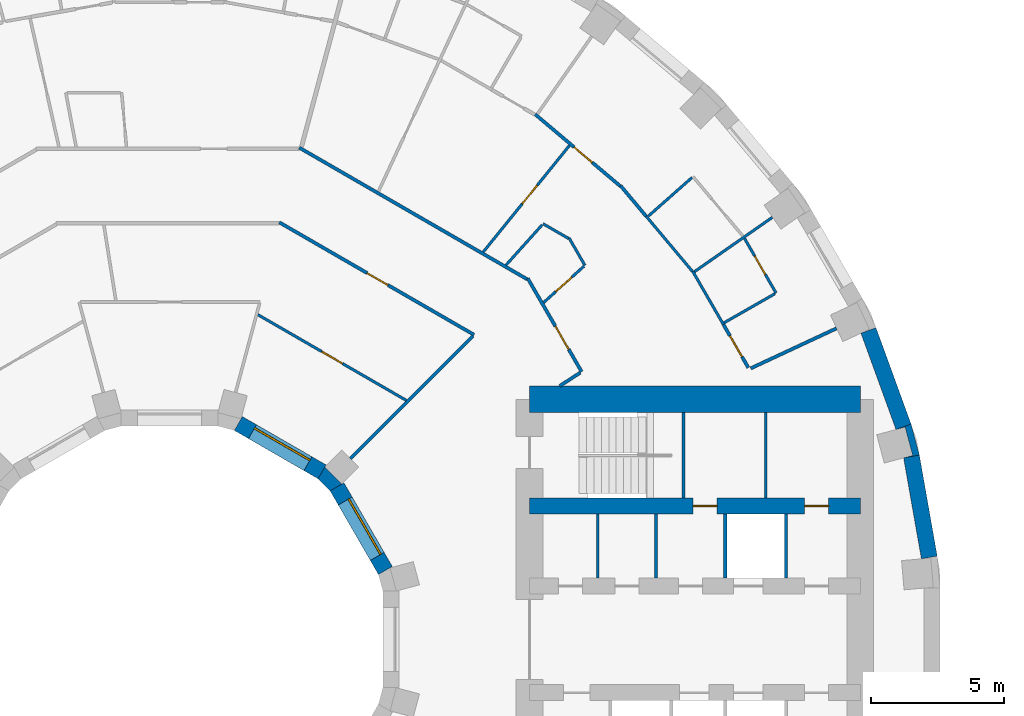
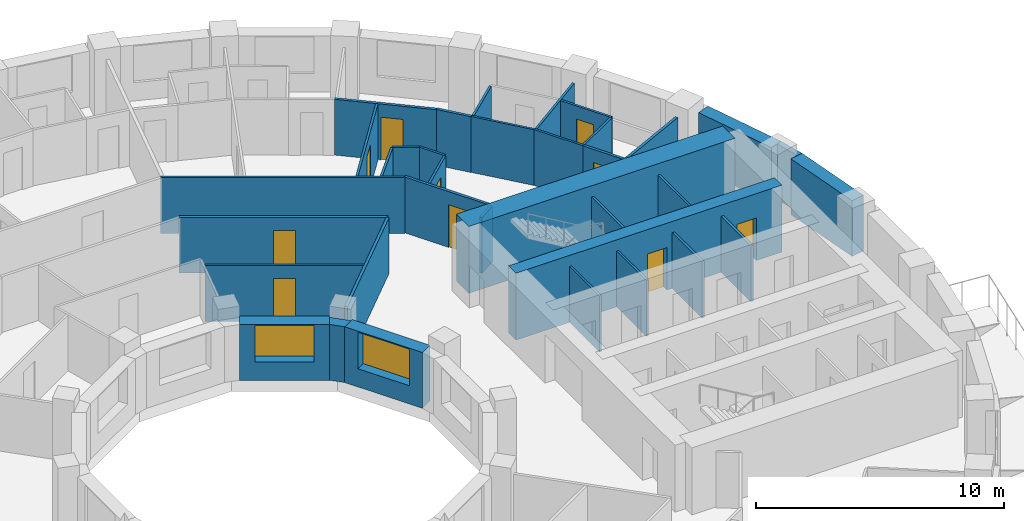
# One storey, part 12 of 15: 35 walls, 10 doors, 2 windows, 12 openings.
"""IFC4 building model written with IfcOpenShell, lengths in metres."""

from ifc_helpers import new_model, si_unit, direction, frame, frame_2d, origin, place, context, subcontext, project, spatial, polyline, rectangle, outline, extrude, material, layer, layer_set, type_object, element, fill, save


model = new_model("IFC4")

# Units and contexts
model_context = context("Model", 3, precision=1e-05, world=origin(), true_north=direction((0.0, 1.0)))
body_context = subcontext(model_context, "Body", "Model", "MODEL_VIEW")
ifc_project = project(units=[si_unit("LENGTHUNIT", "METRE"), si_unit("AREAUNIT", "SQUARE_METRE"), si_unit("VOLUMEUNIT", "CUBIC_METRE"), si_unit("PLANEANGLEUNIT", "RADIAN"), si_unit("MASSUNIT", "GRAM", prefix="KILO")], contexts=[model_context])

# Site, building, storey
site_placement = place(None, origin())
site = spatial("IfcSite", under=ifc_project, at=site_placement, CompositionType="ELEMENT")
building_placement = place(site_placement, origin())
building = spatial("IfcBuilding", under=site, at=building_placement, Name="Saqina Gate Tower", CompositionType="ELEMENT")
storey_placement = place(building_placement, frame((0.0, 0.0, 36.199951171875)))
storey = spatial("IfcBuildingStorey", under=building, at=storey_placement, Name="L09", CompositionType="ELEMENT", Elevation=36.199951171875)

# Walls
ifc_material_1 = material(Name="Brick masonry (red)", Category="masonry")
wall_type_1 = type_object("IfcWallType", Name="BRICK PIER COPING RED", PredefinedType="SOLIDWALL", material=ifc_material_1)
wall_1_placement = place(storey_placement, origin())
element("IfcWall", 1, at=wall_1_placement, inside=storey, type_object=wall_type_1, Name="Pier cap L09 column 2", PredefinedType="SOLIDWALL", context=body_context, shape_type="SweptSolid", body=[
    extrude(outline(polyline([(28.11669921875, 6.910400390625), (27.80517578125, 8.073974609375), (27.2412109375, 7.86865234375), (27.57958984375, 7.95947265625), (27.864501953125, 6.896728515625), (27.52587890625, 6.80615234375), (28.11669921875, 6.910400390625)])), origin(), (0.0, 0.0, 1.0), 2.75),
])
ifc_material_2 = material(Name="Gypsum board on steel studs", Category="steel")
ifc_layer_1 = layer(ifc_material_2, 0.10009765625)
ifc_layer_set_1 = layer_set([ifc_layer_1], Name="CORE PARTITION")
wall_type_2 = type_object("IfcWallType", Name="CORE PARTITION", PredefinedType="PARTITIONING", material=ifc_layer_set_1)
for number, where, z_axis, x_axis, name in (
    (2, (16.052001953125, 2.300048828125, 0.0), (0.0, 0.0, 1.0), (0.0, 1.0, 0.0), "L09-CP-E01"),
    (3, (18.24072265625, 2.300048828125, 0.0), (0.0, 0.0, 1.0), (0.0, 1.0, 0.0), "L09-CP-E02"),
):
    element("IfcWall", number, at=place(storey_placement, frame(where, z_axis=z_axis, x_axis=x_axis)), inside=storey, type_object=wall_type_2, Name=name, PredefinedType="PARTITIONING", context=body_context, shape_type="SweptSolid", body=[
        extrude(rectangle(XDim=2.39990234375, YDim=0.10009765625, at=frame_2d((1.199951171875, 0.0))), origin(), (0.0, 0.0, 1.0), 2.75),
    ])
wall_2_placement = place(storey_placement, frame((22.360107421875, 5.300048828125, 0.0), z_axis=(0.0, 0.0, 1.0), x_axis=(0.0, 1.0, 0.0)))
element("IfcWall", 4, at=wall_2_placement, inside=storey, type_object=wall_type_2, Name="L09-CP-E11", PredefinedType="PARTITIONING", context=body_context, shape_type="SweptSolid", body=[
    extrude(rectangle(XDim=3.199951171875, YDim=0.10009765625, at=frame_2d((1.60009765625, 0.0))), origin(), (0.0, 0.0, 1.0), 2.75),
])
ifc_material_3 = material(Name="Glazed ceramic tile", Category="ceramic")
ifc_layer_2 = layer(ifc_material_3, 0.60009765625)
ifc_layer_set_2 = layer_set([ifc_layer_2], Name="FW-TILE")
wall_type_3 = type_object("IfcWallType", Name="FW-TILE", PredefinedType="SOLIDWALL", material=ifc_layer_set_2)
wall_3_placement = place(storey_placement, frame((27.523193359375, 7.97119140625, 0.0), z_axis=(0.0, 0.0, 1.0), x_axis=(-0.342028474173, 0.939689588564, 0.0)))
element("IfcWall", 5, at=wall_3_placement, inside=storey, type_object=wall_type_3, Name="Facade wall L09 facet 2", PredefinedType="SOLIDWALL", context=body_context, shape_type="SweptSolid", body=[
    extrude(rectangle(XDim=3.845947265625, YDim=0.60009765625, at=frame_2d((1.9228515625, 0.0))), origin(), (0.0, 0.0, 1.0), 2.75),
])
ifc_material_4 = material(Name="Glazed ceramic tile (dark blue)", Category="ceramic")
ifc_layer_3 = layer(ifc_material_4, 0.60009765625)
ifc_layer_set_3 = layer_set([ifc_layer_3], Name="FW-TILE-CB")
wall_type_4 = type_object("IfcWallType", Name="FW-TILE-CB", PredefinedType="SOLIDWALL", material=ifc_layer_set_3)
wall_4_placement = place(storey_placement, frame((28.4892578125, 3.07080078125, 0.0), z_axis=(0.0, 0.0, 1.0), x_axis=(-0.173687553279, 0.984800809218, 0.0)))
element("IfcWall", 6, at=wall_4_placement, inside=storey, type_object=wall_type_4, Name="Facade wall L09 facet 1", PredefinedType="SOLIDWALL", context=body_context, shape_type="SweptSolid", body=[
    extrude(rectangle(XDim=3.845703125, YDim=0.60009765625, at=frame_2d((1.9228515625, 0.0))), origin(), (0.0, 0.0, 1.0), 2.75),
])

# Wall, opening, window
ifc_material_5 = material(Name="Glazed ceramic tile", Category="ceramic")
ifc_layer_4 = layer(ifc_material_5, 0.60009765625)
ifc_layer_set_4 = layer_set([ifc_layer_4], Name="IW-TILE")
wall_type_5 = type_object("IfcWallType", Name="IW-TILE", PredefinedType="SOLIDWALL", material=ifc_layer_set_4)
wall_5_placement = place(storey_placement, frame((8.09423828125, 2.580322265625, 0.0), z_axis=(0.0, 0.0, 1.0), x_axis=(-0.499992569217, 0.866029693906, 0.0)))
wall_5 = element("IfcWall", 7, at=wall_5_placement, inside=storey, type_object=wall_type_5, Name="Well wall L09 facet 1", PredefinedType="SOLIDWALL", context=body_context, shape_type="SweptSolid", body=[
    extrude(rectangle(XDim=3.625, YDim=0.60009765625, at=frame_2d((1.8125, 0.0))), origin(), (0.0, 0.0, 1.0), 2.75),
])
opening_1_placement = place(wall_5_placement, frame((0.612548828125, 0.0, 0.89990234375)))
opening_1 = element("IfcOpeningElement", 8, at=opening_1_placement, cuts=wall_5, Name="Opening G02-W23", PredefinedType="OPENING", context=body_context, shape_type="SweptSolid", body=[
    extrude(rectangle(XDim=2.39990234375, YDim=1.800048828125, at=frame_2d((1.199951171875, 0.89990234375))), frame((0.0, 0.31201171875, 0.0), z_axis=(0.0, -1.0, 0.0), x_axis=(1.0, 0.0, 0.0)), (0.0, 0.0, 1.0), 0.6240234375),
])
ifc_material_6 = material(Name="Aluminium glazing", Category="aluminium")
window_type = type_object("IfcWindowType", Name="WN-W", PartitioningType="SINGLE_PANEL", PredefinedType="WINDOW", material=ifc_material_6)
window_1_placement = place(opening_1_placement, origin())
window_1 = element("IfcWindow", 9, at=window_1_placement, inside=storey, type_object=window_type, Name="Well window L09 facet 1", OverallHeight=1.800048828125, OverallWidth=2.39990234375, PartitioningType="SINGLE_PANEL", PredefinedType="WINDOW", context=body_context, shape_type="SweptSolid", body=[
    extrude(rectangle(XDim=2.39990234375, YDim=1.800048828125, at=frame_2d((1.199951171875, 0.89990234375))), frame((0.0, -0.119873046875, 0.0), z_axis=(0.0, -1.0, 0.0), x_axis=(1.0, 0.0, 0.0)), (0.0, 0.0, 1.0), 0.06005859375),
])
fill(opening_1, window_1)

wall_6_placement = place(storey_placement, frame((5.7197265625, 6.28173828125, 0.0), z_axis=(0.0, 0.0, 1.0), x_axis=(-0.866029693906, 0.499992569217, 0.0)))
wall_6 = element("IfcWall", 10, at=wall_6_placement, inside=storey, type_object=wall_type_5, Name="Well wall L09 facet 2", PredefinedType="SOLIDWALL", context=body_context, shape_type="SweptSolid", body=[
    extrude(rectangle(XDim=3.625, YDim=0.60009765625, at=frame_2d((1.8125, 0.0))), origin(), (0.0, 0.0, 1.0), 2.75),
])
opening_2_placement = place(wall_6_placement, frame((0.612548828125, 0.0, 0.89990234375)))
opening_2 = element("IfcOpeningElement", 11, at=opening_2_placement, cuts=wall_6, Name="Opening G02-W24", PredefinedType="OPENING", context=body_context, shape_type="SweptSolid", body=[
    extrude(rectangle(XDim=2.39990234375, YDim=1.800048828125, at=frame_2d((1.199951171875, 0.89990234375))), frame((0.0, 0.31201171875, 0.0), z_axis=(0.0, -1.0, 0.0), x_axis=(1.0, 0.0, 0.0)), (0.0, 0.0, 1.0), 0.6240234375),
])
window_2_placement = place(opening_2_placement, origin())
window_2 = element("IfcWindow", 12, at=window_2_placement, inside=storey, type_object=window_type, Name="Well window L09 facet 2", OverallHeight=1.800048828125, OverallWidth=2.39990234375, PartitioningType="SINGLE_PANEL", PredefinedType="WINDOW", context=body_context, shape_type="SweptSolid", body=[
    extrude(rectangle(XDim=2.39990234375, YDim=1.800048828125, at=frame_2d((1.199951171875, 0.89990234375))), frame((0.0, -0.119873046875, 0.0), z_axis=(0.0, -1.0, 0.0), x_axis=(1.0, 0.0, 0.0)), (0.0, 0.0, 1.0), 0.06005859375),
])
fill(opening_2, window_2)

# Walls
ifc_material_7 = material(Name="Gypsum board on steel studs, 100 mm", Category="steel")
ifc_layer_5 = layer(ifc_material_7, 0.10009765625)
ifc_layer_set_5 = layer_set([ifc_layer_5], Name="PARTITION 100")
wall_type_6 = type_object("IfcWallType", Name="PARTITION 100", PredefinedType="PARTITIONING", material=ifc_layer_set_5)
wall_7_placement = place(storey_placement, frame((14.97802734375, 15.056884765625, 0.0), z_axis=(0.0, 0.0, 1.0), x_axis=(0.500342374835, -0.865827643324, 0.0)))
element("IfcWall", 13, at=wall_7_placement, inside=storey, type_object=wall_type_6, Name="PARTITION PW3-25", PredefinedType="PARTITIONING", context=body_context, shape_type="SweptSolid", body=[
    extrude(rectangle(XDim=1.193115234375, YDim=0.10009765625, at=frame_2d((0.5966796875, 0.0))), origin(), (0.0, 0.0, 1.0), 2.75),
])
wall_8_placement = place(storey_placement, frame((19.61865234375, 13.799072265625, 0.0), z_axis=(0.0, 0.0, 1.0), x_axis=(0.500055369823, -0.865993433642, 0.0)))
element("IfcWall", 14, at=wall_8_placement, inside=storey, type_object=wall_type_6, Name="PARTITION PW3-26", PredefinedType="PARTITIONING", context=body_context, shape_type="SweptSolid", body=[
    extrude(rectangle(XDim=2.306396484375, YDim=0.10009765625, at=frame_2d((1.1533203125, 0.0))), origin(), (0.0, 0.0, 1.0), 2.75),
])

# Wall, opening, door
wall_9_placement = place(storey_placement, frame((21.56005859375, 15.03564453125, 0.0), z_axis=(0.0, 0.0, 1.0), x_axis=(0.499987246797, -0.866032766724, 0.0)))
wall_9 = element("IfcWall", 15, at=wall_9_placement, inside=storey, type_object=wall_type_6, Name="PARTITION PW3-27", PredefinedType="PARTITIONING", context=body_context, shape_type="SweptSolid", body=[
    extrude(rectangle(XDim=2.36767578125, YDim=0.10009765625, at=frame_2d((1.183837890625, 0.0))), origin(), (0.0, 0.0, 1.0), 2.75),
])
opening_3_placement = place(wall_9_placement, frame((0.759033203125, 0.0, 0.0)))
opening_3 = element("IfcOpeningElement", 16, at=opening_3_placement, cuts=wall_9, Name="Opening G02-D02", PredefinedType="OPENING", context=body_context, shape_type="SweptSolid", body=[
    extrude(rectangle(XDim=0.800048828125, YDim=2.10009765625, at=frame_2d((0.39990234375, 1.050048828125))), frame((0.0, 0.06201171875, 0.0), z_axis=(0.0, -1.0, 0.0), x_axis=(1.0, 0.0, 0.0)), (0.0, 0.0, 1.0), 0.1240234375),
])
ifc_material_8 = material(Name="Timber door leaf, 800 mm", Category="wood")
door_type_1 = type_object("IfcDoorType", Name="DOOR 800 TIMBER", OperationType="SINGLE_SWING_LEFT", PredefinedType="DOOR", material=ifc_material_8)
door_1_placement = place(opening_3_placement, origin())
door_1 = element("IfcDoor", 17, at=door_1_placement, inside=storey, type_object=door_type_1, Name="DOOR G02-D02", OperationType="SINGLE_SWING_LEFT", OverallHeight=2.10009765625, OverallWidth=0.800048828125, PredefinedType="DOOR", context=body_context, shape_type="SweptSolid", body=[
    extrude(rectangle(XDim=0.800048828125, YDim=2.10009765625, at=frame_2d((0.39990234375, 1.050048828125))), frame((0.0, 0.02490234375, 0.0), z_axis=(0.0, -1.0, 0.0), x_axis=(1.0, 0.0, 0.0)), (0.0, 0.0, 1.0), 0.050048828125),
])
fill(opening_3, door_1)

# Wall
wall_10_placement = place(storey_placement, frame((17.872802734375, 15.865234375, 0.0), z_axis=(0.0, 0.0, 1.0), x_axis=(0.642870303164, -0.765975047446, 0.0)))
element("IfcWall", 18, at=wall_10_placement, inside=storey, type_object=wall_type_6, Name="PARTITION PW3-32", PredefinedType="PARTITIONING", context=body_context, shape_type="SweptSolid", body=[
    extrude(rectangle(XDim=2.705078125, YDim=0.10009765625, at=frame_2d((1.3525390625, 0.0))), origin(), (0.0, 0.0, 1.0), 2.75),
])

# Wall, opening, door
wall_11_placement = place(storey_placement, frame((3.312744140625, 12.1748046875, 0.0), z_axis=(0.0, 0.0, 1.0), x_axis=(0.866015366624, -0.500017384468, 0.0)))
wall_11 = element("IfcWall", 19, at=wall_11_placement, inside=storey, type_object=wall_type_6, Name="PARTITION PW3-45", PredefinedType="PARTITIONING", context=body_context, shape_type="SweptSolid", body=[
    extrude(rectangle(XDim=6.425048828125, YDim=0.10009765625, at=frame_2d((3.21240234375, 0.0))), origin(), (0.0, 0.0, 1.0), 2.75),
])
opening_4_placement = place(wall_11_placement, frame((2.7685546875, 0.0, 0.0)))
opening_4 = element("IfcOpeningElement", 20, at=opening_4_placement, cuts=wall_11, Name="Opening G02-D09", PredefinedType="OPENING", context=body_context, shape_type="SweptSolid", body=[
    extrude(rectangle(XDim=0.89990234375, YDim=2.10009765625, at=frame_2d((0.449951171875, 1.050048828125))), frame((0.0, 0.06201171875, 0.0), z_axis=(0.0, -1.0, 0.0), x_axis=(1.0, 0.0, 0.0)), (0.0, 0.0, 1.0), 0.1240234375),
])
ifc_material_9 = material(Name="Timber door leaf, 900 mm", Category="wood")
door_type_2 = type_object("IfcDoorType", Name="DOOR 900 TIMBER", OperationType="SINGLE_SWING_LEFT", PredefinedType="DOOR", material=ifc_material_9)
door_2_placement = place(opening_4_placement, origin())
door_2 = element("IfcDoor", 21, at=door_2_placement, inside=storey, type_object=door_type_2, Name="DOOR G02-D09", OperationType="SINGLE_SWING_RIGHT", OverallHeight=2.10009765625, OverallWidth=0.89990234375, PredefinedType="DOOR", context=body_context, shape_type="SweptSolid", body=[
    extrude(rectangle(XDim=0.89990234375, YDim=2.10009765625, at=frame_2d((0.449951171875, 1.050048828125))), frame((0.0, 0.02490234375, 0.0), z_axis=(0.0, -1.0, 0.0), x_axis=(1.0, 0.0, 0.0)), (0.0, 0.0, 1.0), 0.050048828125),
])
fill(opening_4, door_2)

# Walls
wall_12_placement = place(storey_placement, frame((14.008056640625, 15.5830078125, 0.0), z_axis=(0.0, 0.0, 1.0), x_axis=(0.866288740656, -0.49954360952, 0.0)))
element("IfcWall", 22, at=wall_12_placement, inside=storey, type_object=wall_type_6, Name="PARTITION PW3-46", PredefinedType="PARTITIONING", context=body_context, shape_type="SweptSolid", body=[
    extrude(rectangle(XDim=1.10302734375, YDim=0.10009765625, at=frame_2d((0.551513671875, 0.0))), origin(), (0.0, 0.0, 1.0), 2.75),
])
wall_13_placement = place(storey_placement, frame((20.79052734375, 11.869873046875, 0.0), z_axis=(0.0, 0.0, 1.0), x_axis=(0.86847529617, 0.495732447942, 0.0)))
element("IfcWall", 23, at=wall_13_placement, inside=storey, type_object=wall_type_6, Name="PARTITION PW3-74", PredefinedType="PARTITIONING", context=body_context, shape_type="SweptSolid", body=[
    extrude(rectangle(XDim=2.199462890625, YDim=0.10009765625, at=frame_2d((1.099609375, 0.0))), origin(), (0.0, 0.0, 1.0), 2.75),
])
wall_14_placement = place(storey_placement, frame((19.6826171875, 13.786865234375, 0.0), z_axis=(0.0, 0.0, 1.0), x_axis=(0.820194321254, 0.57208502461, 0.0)))
element("IfcWall", 24, at=wall_14_placement, inside=storey, type_object=wall_type_6, Name="PARTITION PW3-83", PredefinedType="PARTITIONING", context=body_context, shape_type="SweptSolid", body=[
    extrude(rectangle(XDim=3.55908203125, YDim=0.10009765625, at=frame_2d((1.779541015625, 0.0))), origin(), (0.0, 0.0, 1.0), 2.75),
])
wall_15_placement = place(storey_placement, frame((17.951904296875, 15.868408203125, 0.0), z_axis=(0.0, 0.0, 1.0), x_axis=(0.749222226859, 0.662318695781, 0.0)))
element("IfcWall", 25, at=wall_15_placement, inside=storey, type_object=wall_type_6, Name="PARTITION PW3-87", PredefinedType="PARTITIONING", context=body_context, shape_type="SweptSolid", body=[
    extrude(rectangle(XDim=2.1884765625, YDim=0.10009765625, at=frame_2d((1.09423828125, 0.0))), origin(), (0.0, 0.0, 1.0), 2.75),
])

# Wall, opening, door
wall_16_placement = place(storey_placement, frame((14.0263671875, 12.62890625, 0.0), z_axis=(0.0, 0.0, 1.0), x_axis=(0.742989731373, 0.669302815678, 0.0)))
wall_16 = element("IfcWall", 26, at=wall_16_placement, inside=storey, type_object=wall_type_6, Name="PARTITION PW3-88", PredefinedType="PARTITIONING", context=body_context, shape_type="SweptSolid", body=[
    extrude(rectangle(XDim=2.034423828125, YDim=0.10009765625, at=frame_2d((1.01708984375, 0.0))), origin(), (0.0, 0.0, 1.0), 2.75),
])
opening_5_placement = place(wall_16_placement, frame((0.61083984375, 0.0, 0.0)))
opening_5 = element("IfcOpeningElement", 27, at=opening_5_placement, cuts=wall_16, Name="Opening G02-D05", PredefinedType="OPENING", context=body_context, shape_type="SweptSolid", body=[
    extrude(rectangle(XDim=0.800048828125, YDim=2.10009765625, at=frame_2d((0.39990234375, 1.050048828125))), frame((0.0, 0.06201171875, 0.0), z_axis=(0.0, -1.0, 0.0), x_axis=(1.0, 0.0, 0.0)), (0.0, 0.0, 1.0), 0.1240234375),
])
door_3_placement = place(opening_5_placement, frame((0.800048828125, 0.0, 0.0), z_axis=(0.0, 0.0, 1.0), x_axis=(-1.0, 0.0, 0.0)))
door_3 = element("IfcDoor", 28, at=door_3_placement, inside=storey, type_object=door_type_1, Name="DOOR G02-D05", OperationType="SINGLE_SWING_RIGHT", OverallHeight=2.10009765625, OverallWidth=0.800048828125, PredefinedType="DOOR", context=body_context, shape_type="SweptSolid", body=[
    extrude(rectangle(XDim=0.800048828125, YDim=2.10009765625, at=frame_2d((0.39990234375, 1.050048828125))), frame((0.0, 0.02490234375, 0.0), z_axis=(0.0, -1.0, 0.0), x_axis=(1.0, 0.0, 0.0)), (0.0, 0.0, 1.0), 0.050048828125),
])
fill(opening_5, door_3)

# Wall
wall_17_placement = place(storey_placement, frame((12.615966796875, 14.03369140625, 0.0), z_axis=(0.0, 0.0, 1.0), x_axis=(0.668327519136, 0.743867143491, 0.0)))
element("IfcWall", 29, at=wall_17_placement, inside=storey, type_object=wall_type_6, Name="PARTITION PW3-90", PredefinedType="PARTITIONING", context=body_context, shape_type="SweptSolid", body=[
    extrude(rectangle(XDim=2.032958984375, YDim=0.10009765625, at=frame_2d((1.0166015625, 0.0))), origin(), (0.0, 0.0, 1.0), 2.75),
])

# Wall, opening, door
wall_18_placement = place(storey_placement, frame((11.763427734375, 14.526611328125, 0.0), z_axis=(0.0, 0.0, 1.0), x_axis=(0.629330794749, 0.777137536592, 0.0)))
wall_18 = element("IfcWall", 30, at=wall_18_placement, inside=storey, type_object=wall_type_6, Name="PARTITION PW3-94", PredefinedType="PARTITIONING", context=body_context, shape_type="SweptSolid", body=[
    extrude(rectangle(XDim=5.138671875, YDim=0.10009765625, at=frame_2d((2.5693359375, 0.0))), origin(), (0.0, 0.0, 1.0), 2.75),
])
opening_6_placement = place(wall_18_placement, frame((2.319580078125, 0.0, 0.0)))
opening_6 = element("IfcOpeningElement", 31, at=opening_6_placement, cuts=wall_18, Name="Opening G02-D07", PredefinedType="OPENING", context=body_context, shape_type="SweptSolid", body=[
    extrude(rectangle(XDim=0.89990234375, YDim=2.10009765625, at=frame_2d((0.449951171875, 1.050048828125))), frame((0.0, 0.06201171875, 0.0), z_axis=(0.0, -1.0, 0.0), x_axis=(1.0, 0.0, 0.0)), (0.0, 0.0, 1.0), 0.1240234375),
])
door_4_placement = place(opening_6_placement, frame((0.89990234375, 0.0, 0.0), z_axis=(0.0, 0.0, 1.0), x_axis=(-1.0, 0.0, 0.0)))
door_4 = element("IfcDoor", 32, at=door_4_placement, inside=storey, type_object=door_type_2, Name="DOOR G02-D07", OperationType="SINGLE_SWING_LEFT", OverallHeight=2.10009765625, OverallWidth=0.89990234375, PredefinedType="DOOR", context=body_context, shape_type="SweptSolid", body=[
    extrude(rectangle(XDim=0.89990234375, YDim=2.10009765625, at=frame_2d((0.449951171875, 1.050048828125))), frame((0.0, 0.02490234375, 0.0), z_axis=(0.0, -1.0, 0.0), x_axis=(1.0, 0.0, 0.0)), (0.0, 0.0, 1.0), 0.050048828125),
])
fill(opening_6, door_4)

ifc_material_10 = material(Name="Gypsum board on steel studs, 125 mm, fire rated", Category="steel")
ifc_layer_6 = layer(ifc_material_10, 0.125)
ifc_layer_set_6 = layer_set([ifc_layer_6], Name="PARTITION EI 30 125")
wall_type_7 = type_object("IfcWallType", Name="PARTITION EI 30 125", PredefinedType="PARTITIONING", material=ifc_layer_set_6)
wall_19_placement = place(storey_placement, frame((13.433837890625, 13.532470703125, 0.0), z_axis=(0.0, 0.0, 1.0), x_axis=(0.499949220301, -0.866054719472, 0.0)))
wall_19 = element("IfcWall", 33, at=wall_19_placement, inside=storey, type_object=wall_type_7, Name="PARTITION PW1-04", PredefinedType="PARTITIONING", context=body_context, shape_type="SweptSolid", body=[
    extrude(rectangle(XDim=4.03857421875, YDim=0.125, at=frame_2d((2.019287109375, 0.0))), origin(), (0.0, 0.0, 1.0), 2.75),
])
opening_7_placement = place(wall_19_placement, frame((2.065185546875, 0.0, 0.0)))
opening_7 = element("IfcOpeningElement", 34, at=opening_7_placement, cuts=wall_19, Name="Opening G02-D03", PredefinedType="OPENING", context=body_context, shape_type="SweptSolid", body=[
    extrude(rectangle(XDim=1.0, YDim=2.10009765625, at=frame_2d((0.5, 1.050048828125))), frame((0.0, 0.074462890625, 0.0), z_axis=(0.0, -1.0, 0.0), x_axis=(1.0, 0.0, 0.0)), (0.0, 0.0, 1.0), 0.14892578125),
])
ifc_material_11 = material(Name="Fire door leaf EI 30, 1000 mm")
door_type_3 = type_object("IfcDoorType", Name="DOOR 1000 EI 30", OperationType="SINGLE_SWING_LEFT", PredefinedType="DOOR", material=ifc_material_11)
door_5_placement = place(opening_7_placement, origin())
door_5 = element("IfcDoor", 35, at=door_5_placement, inside=storey, type_object=door_type_3, Name="DOOR G02-D03", OperationType="SINGLE_SWING_RIGHT", OverallHeight=2.10009765625, OverallWidth=1.0, PredefinedType="DOOR", context=body_context, shape_type="SweptSolid", body=[
    extrude(rectangle(XDim=1.0, YDim=2.10009765625, at=frame_2d((0.5, 1.050048828125))), frame((0.0, 0.02490234375, 0.0), z_axis=(0.0, -1.0, 0.0), x_axis=(1.0, 0.0, 0.0)), (0.0, 0.0, 1.0), 0.050048828125),
])
fill(opening_7, door_5)

wall_20_placement = place(storey_placement, frame((20.77197265625, 11.8017578125, 0.0), z_axis=(0.0, 0.0, 1.0), x_axis=(0.499862453367, -0.866104801807, 0.0)))
wall_20 = element("IfcWall", 36, at=wall_20_placement, inside=storey, type_object=wall_type_7, Name="PARTITION PW1-05", PredefinedType="PARTITIONING", context=body_context, shape_type="SweptSolid", body=[
    extrude(rectangle(XDim=1.86181640625, YDim=0.125, at=frame_2d((0.930908203125, 0.0))), origin(), (0.0, 0.0, 1.0), 2.75),
])
opening_8_placement = place(wall_20_placement, frame((0.486083984375, 0.0, 0.0)))
opening_8 = element("IfcOpeningElement", 37, at=opening_8_placement, cuts=wall_20, Name="Opening G02-D01", PredefinedType="OPENING", context=body_context, shape_type="SweptSolid", body=[
    extrude(rectangle(XDim=0.89990234375, YDim=2.10009765625, at=frame_2d((0.449951171875, 1.050048828125))), frame((0.0, 0.074462890625, 0.0), z_axis=(0.0, -1.0, 0.0), x_axis=(1.0, 0.0, 0.0)), (0.0, 0.0, 1.0), 0.14892578125),
])
ifc_material_12 = material(Name="Fire door leaf EI 30, 900 mm")
door_type_4 = type_object("IfcDoorType", Name="DOOR 900 EI 30", OperationType="SINGLE_SWING_LEFT", PredefinedType="DOOR", material=ifc_material_12)
door_6_placement = place(opening_8_placement, frame((0.89990234375, 0.0, 0.0), z_axis=(0.0, 0.0, 1.0), x_axis=(-1.0, 0.0, 0.0)))
door_6 = element("IfcDoor", 38, at=door_6_placement, inside=storey, type_object=door_type_4, Name="DOOR G02-D01", OperationType="SINGLE_SWING_LEFT", OverallHeight=2.10009765625, OverallWidth=0.89990234375, PredefinedType="DOOR", context=body_context, shape_type="SweptSolid", body=[
    extrude(rectangle(XDim=0.89990234375, YDim=2.10009765625, at=frame_2d((0.449951171875, 1.050048828125))), frame((0.0, 0.02490234375, 0.0), z_axis=(0.0, -1.0, 0.0), x_axis=(1.0, 0.0, 0.0)), (0.0, 0.0, 1.0), 0.050048828125),
])
fill(opening_8, door_6)

# Wall
wall_21_placement = place(storey_placement, frame((16.916259765625, 17.005615234375, 0.0), z_axis=(0.0, 0.0, 1.0), x_axis=(0.642649535047, -0.766160280297, 0.0)))
element("IfcWall", 39, at=wall_21_placement, inside=storey, type_object=wall_type_7, Name="PARTITION PW1-08", PredefinedType="PARTITIONING", context=body_context, shape_type="SweptSolid", body=[
    extrude(rectangle(XDim=1.488525390625, YDim=0.125, at=frame_2d((0.744140625, 0.0))), origin(), (0.0, 0.0, 1.0), 2.75),
])

# Wall, opening, door
wall_22_placement = place(storey_placement, frame((13.708984375, 19.689208984375, 0.0), z_axis=(0.0, 0.0, 1.0), x_axis=(0.764384092804, -0.644761164051, 0.0)))
wall_22 = element("IfcWall", 40, at=wall_22_placement, inside=storey, type_object=wall_type_7, Name="PARTITION PW1-11", PredefinedType="PARTITIONING", context=body_context, shape_type="SweptSolid", body=[
    extrude(rectangle(XDim=4.181884765625, YDim=0.125, at=frame_2d((2.0908203125, 0.0))), origin(), (0.0, 0.0, 1.0), 2.75),
])
opening_9_placement = place(wall_22_placement, frame((1.904296875, 0.0, 0.0)))
opening_9 = element("IfcOpeningElement", 41, at=opening_9_placement, cuts=wall_22, Name="Opening G02-D06", PredefinedType="OPENING", context=body_context, shape_type="SweptSolid", body=[
    extrude(rectangle(XDim=0.89990234375, YDim=2.10009765625, at=frame_2d((0.449951171875, 1.050048828125))), frame((0.0, 0.074462890625, 0.0), z_axis=(0.0, -1.0, 0.0), x_axis=(1.0, 0.0, 0.0)), (0.0, 0.0, 1.0), 0.14892578125),
])
door_7_placement = place(opening_9_placement, frame((0.89990234375, 0.0, 0.0), z_axis=(0.0, 0.0, 1.0), x_axis=(-1.0, 0.0, 0.0)))
door_7 = element("IfcDoor", 42, at=door_7_placement, inside=storey, type_object=door_type_4, Name="DOOR G02-D06", OperationType="SINGLE_SWING_RIGHT", OverallHeight=2.10009765625, OverallWidth=0.89990234375, PredefinedType="DOOR", context=body_context, shape_type="SweptSolid", body=[
    extrude(rectangle(XDim=0.89990234375, YDim=2.10009765625, at=frame_2d((0.449951171875, 1.050048828125))), frame((0.0, 0.02490234375, 0.0), z_axis=(0.0, -1.0, 0.0), x_axis=(1.0, 0.0, 0.0)), (0.0, 0.0, 1.0), 0.050048828125),
])
fill(opening_9, door_7)

wall_23_placement = place(storey_placement, frame((4.117431640625, 15.635986328125, 0.0), z_axis=(0.0, 0.0, 1.0), x_axis=(0.866026957163, -0.49999730946, 0.0)))
wall_23 = element("IfcWall", 43, at=wall_23_placement, inside=storey, type_object=wall_type_7, Name="PARTITION PW1-19", PredefinedType="PARTITIONING", context=body_context, shape_type="SweptSolid", body=[
    extrude(rectangle(XDim=8.43212890625, YDim=0.125, at=frame_2d((4.216064453125, 0.0))), origin(), (0.0, 0.0, 1.0), 2.75),
])
opening_10_placement = place(wall_23_placement, frame((3.80224609375, 0.0, 0.0)))
opening_10 = element("IfcOpeningElement", 44, at=opening_10_placement, cuts=wall_23, Name="Opening G02-D10", PredefinedType="OPENING", context=body_context, shape_type="SweptSolid", body=[
    extrude(rectangle(XDim=0.89990234375, YDim=2.10009765625, at=frame_2d((0.449951171875, 1.050048828125))), frame((0.0, 0.074462890625, 0.0), z_axis=(0.0, -1.0, 0.0), x_axis=(1.0, 0.0, 0.0)), (0.0, 0.0, 1.0), 0.14892578125),
])
door_8_placement = place(opening_10_placement, frame((0.89990234375, 0.0, 0.0), z_axis=(0.0, 0.0, 1.0), x_axis=(-1.0, 0.0, 0.0)))
door_8 = element("IfcDoor", 45, at=door_8_placement, inside=storey, type_object=door_type_4, Name="DOOR G02-D10", OperationType="SINGLE_SWING_LEFT", OverallHeight=2.10009765625, OverallWidth=0.89990234375, PredefinedType="DOOR", context=body_context, shape_type="SweptSolid", body=[
    extrude(rectangle(XDim=0.89990234375, YDim=2.10009765625, at=frame_2d((0.449951171875, 1.050048828125))), frame((0.0, 0.02490234375, 0.0), z_axis=(0.0, -1.0, 0.0), x_axis=(1.0, 0.0, 0.0)), (0.0, 0.0, 1.0), 0.050048828125),
])
fill(opening_10, door_8)

# Walls
wall_24_placement = place(storey_placement, frame((4.867431640625, 18.43603515625, 0.0), z_axis=(0.0, 0.0, 1.0), x_axis=(0.86605048973, -0.49995654735, 0.0)))
element("IfcWall", 46, at=wall_24_placement, inside=storey, type_object=wall_type_7, Name="PARTITION PW1-20", PredefinedType="PARTITIONING", context=body_context, shape_type="SweptSolid", body=[
    extrude(rectangle(XDim=9.87060546875, YDim=0.125, at=frame_2d((4.935302734375, 0.0))), origin(), (0.0, 0.0, 1.0), 2.75),
])
wall_25_placement = place(storey_placement, frame((21.79052734375, 10.161376953125, 0.0), z_axis=(0.0, 0.0, 1.0), x_axis=(0.906357161772, 0.422512361127, 0.0)))
element("IfcWall", 47, at=wall_25_placement, inside=storey, type_object=wall_type_7, Name="PARTITION PW1-37", PredefinedType="PARTITIONING", context=body_context, shape_type="SweptSolid", body=[
    extrude(rectangle(XDim=3.546630859375, YDim=0.125, at=frame_2d((1.7734375, 0.0))), origin(), (0.0, 0.0, 1.0), 2.75),
])
wall_26_placement = place(storey_placement, frame((14.62890625, 9.5, 0.0), z_axis=(0.0, 0.0, 1.0), x_axis=(0.838764779401, 0.544493934619, 0.0)))
element("IfcWall", 48, at=wall_26_placement, inside=storey, type_object=wall_type_7, Name="PARTITION PW1-45", PredefinedType="PARTITIONING", context=body_context, shape_type="SweptSolid", body=[
    extrude(rectangle(XDim=0.920166015625, YDim=0.125, at=frame_2d((0.4599609375, 0.0))), origin(), (0.0, 0.0, 1.0), 2.75),
])
wall_27_placement = place(storey_placement, frame((6.78271484375, 6.78271484375, 0.0), z_axis=(0.0, 0.0, 1.0), x_axis=(0.707106781187, 0.707106781187, 0.0)))
element("IfcWall", 49, at=wall_27_placement, inside=storey, type_object=wall_type_7, Name="PARTITION PW1-47", PredefinedType="PARTITIONING", context=body_context, shape_type="SweptSolid", body=[
    extrude(rectangle(XDim=6.49560546875, YDim=0.125, at=frame_2d((3.247802734375, 0.0))), origin(), (0.0, 0.0, 1.0), 2.75),
])
ifc_material_13 = material(Name="Autoclaved aerated concrete block", Category="concrete")
ifc_layer_7 = layer(ifc_material_13, 0.1201171875)
ifc_layer_set_7 = layer_set([ifc_layer_7], Name="SHAFT PARTITION")
wall_type_8 = type_object("IfcWallType", Name="SHAFT PARTITION", PredefinedType="PARTITIONING", material=ifc_layer_set_7)
for number, where, z_axis, x_axis, name in (
    (50, (20.840087890625, 2.300048828125, 0.0), (0.0, 0.0, 1.0), (0.0, 1.0, 0.0), "L09-CP-E03"),
    (51, (23.1201171875, 2.300048828125, 0.0), (0.0, 0.0, 1.0), (0.0, 1.0, 0.0), "L09-CP-E04"),
):
    element("IfcWall", number, at=place(storey_placement, frame(where, z_axis=z_axis, x_axis=x_axis)), inside=storey, type_object=wall_type_8, Name=name, PredefinedType="PARTITIONING", context=body_context, shape_type="SweptSolid", body=[
        extrude(rectangle(XDim=2.39990234375, YDim=0.1201171875, at=frame_2d((1.199951171875, 0.0))), origin(), (0.0, 0.0, 1.0), 2.75),
    ])
ifc_material_14 = material(Name="Autoclaved aerated concrete block", Category="concrete")
ifc_layer_8 = layer(ifc_material_14, 0.10009765625)
ifc_layer_set_8 = layer_set([ifc_layer_8], Name="STAIR ENCLOSURE WALL")
wall_type_9 = type_object("IfcWallType", Name="STAIR ENCLOSURE WALL", PredefinedType="PARTITIONING", material=ifc_layer_set_8)
wall_28_placement = place(storey_placement, frame((19.27001953125, 5.300048828125, 0.0), z_axis=(0.0, 0.0, 1.0), x_axis=(0.0, 1.0, 0.0)))
element("IfcWall", 52, at=wall_28_placement, inside=storey, type_object=wall_type_9, Name="L09-CP-E10", PredefinedType="PARTITIONING", context=body_context, shape_type="SweptSolid", body=[
    extrude(rectangle(XDim=3.199951171875, YDim=0.10009765625, at=frame_2d((1.60009765625, 0.0))), origin(), (0.0, 0.0, 1.0), 2.75),
])

# Wall, openings, doors
ifc_material_15 = material(Name="Concrete C70/85", Category="concrete")
ifc_layer_9 = layer(ifc_material_15, 0.60009765625)
ifc_layer_set_9 = layer_set([ifc_layer_9], Name="Concrete C70/85")
wall_type_10 = type_object("IfcWallType", Name="STR-CORE WALL-A-I", PredefinedType="SHEAR", material=ifc_layer_set_9)
wall_29_placement = place(storey_placement, frame((13.5, 5.0, 0.0), z_axis=(0.0, 0.0, 1.0), x_axis=(1.0, 0.0, 0.0)))
wall_29 = element("IfcWall", 53, at=wall_29_placement, inside=storey, type_object=wall_type_10, Name="CORE WALL L09 E-X1", PredefinedType="SHEAR", context=body_context, shape_type="SweptSolid", body=[
    extrude(rectangle(XDim=12.39990234375, YDim=0.60009765625, at=frame_2d((6.199951171875, 0.0))), origin(), (0.0, 0.0, 1.0), 3.300048828125),
])
opening_11_placement = place(wall_29_placement, frame((6.1298828125, 0.0, 0.0)))
opening_11 = element("IfcOpeningElement", 54, at=opening_11_placement, cuts=wall_29, Name="Opening G02-D96", PredefinedType="OPENING", context=body_context, shape_type="SweptSolid", body=[
    extrude(rectangle(XDim=0.89990234375, YDim=2.10009765625, at=frame_2d((0.449951171875, 1.050048828125))), frame((0.0, 0.31201171875, 0.0), z_axis=(0.0, -1.0, 0.0), x_axis=(1.0, 0.0, 0.0)), (0.0, 0.0, 1.0), 0.6240234375),
])
opening_12_placement = place(wall_29_placement, frame((10.31005859375, 0.0, 0.0)))
opening_12 = element("IfcOpeningElement", 55, at=opening_12_placement, cuts=wall_29, Name="Opening G02-D97", PredefinedType="OPENING", context=body_context, shape_type="SweptSolid", body=[
    extrude(rectangle(XDim=0.89990234375, YDim=2.10009765625, at=frame_2d((0.449951171875, 1.050048828125))), frame((0.0, 0.31201171875, 0.0), z_axis=(0.0, -1.0, 0.0), x_axis=(1.0, 0.0, 0.0)), (0.0, 0.0, 1.0), 0.6240234375),
])
ifc_material_16 = material(Name="Steel-framed fire door leaf, EI 60", Category="steel")
door_type_5 = type_object("IfcDoorType", Name="SERVICE ROOM DOOR 900", OperationType="SINGLE_SWING_LEFT", PredefinedType="DOOR", material=ifc_material_16)
door_9_placement = place(opening_11_placement, origin())
door_9 = element("IfcDoor", 56, at=door_9_placement, inside=storey, type_object=door_type_5, Name="L09-CD-E07", OperationType="SINGLE_SWING_LEFT", OverallHeight=2.10009765625, OverallWidth=0.89990234375, PredefinedType="DOOR", context=body_context, shape_type="SweptSolid", body=[
    extrude(rectangle(XDim=0.89990234375, YDim=2.10009765625, at=frame_2d((0.449951171875, 1.050048828125))), frame((0.0, 0.02490234375, 0.0), z_axis=(0.0, -1.0, 0.0), x_axis=(1.0, 0.0, 0.0)), (0.0, 0.0, 1.0), 0.050048828125),
])
fill(opening_11, door_9)
door_10_placement = place(opening_12_placement, origin())
door_10 = element("IfcDoor", 57, at=door_10_placement, inside=storey, type_object=door_type_5, Name="L09-CD-E08", OperationType="SINGLE_SWING_RIGHT", OverallHeight=2.10009765625, OverallWidth=0.89990234375, PredefinedType="DOOR", context=body_context, shape_type="SweptSolid", body=[
    extrude(rectangle(XDim=0.89990234375, YDim=2.10009765625, at=frame_2d((0.449951171875, 1.050048828125))), frame((0.0, 0.02490234375, 0.0), z_axis=(0.0, -1.0, 0.0), x_axis=(1.0, 0.0, 0.0)), (0.0, 0.0, 1.0), 0.050048828125),
])
fill(opening_12, door_10)

# Walls
ifc_material_17 = material(Name="Concrete C70/85", Category="concrete")
ifc_layer_10 = layer(ifc_material_17, 1.0)
ifc_layer_set_10 = layer_set([ifc_layer_10], Name="Concrete C70/85")
wall_type_11 = type_object("IfcWallType", Name="STR-CORE WALL-A-O", PredefinedType="SHEAR", material=ifc_layer_set_10)
wall_30_placement = place(storey_placement, frame((13.5, 9.0, 0.0), z_axis=(0.0, 0.0, 1.0), x_axis=(1.0, 0.0, 0.0)))
element("IfcWall", 58, at=wall_30_placement, inside=storey, type_object=wall_type_11, Name="CORE WALL L09 E-NE", PredefinedType="SHEAR", context=body_context, shape_type="SweptSolid", body=[
    extrude(rectangle(XDim=12.39990234375, YDim=1.0, at=frame_2d((6.199951171875, 0.0))), origin(), (0.0, 0.0, 1.0), 3.300048828125),
])
ifc_material_18 = material(Name="Glazed ceramic tile", Category="ceramic")
wall_type_12 = type_object("IfcWallType", Name="TILE PIER COPING", PredefinedType="SOLIDWALL", material=ifc_material_18)
wall_31_placement = place(storey_placement, origin())
element("IfcWall", 59, at=wall_31_placement, inside=storey, type_object=wall_type_12, Name="Well pier cap L09 column 2", PredefinedType="SOLIDWALL", context=body_context, shape_type="SweptSolid", body=[
    extrude(outline(polyline([(5.821044921875, 6.45751953125), (5.569580078125, 6.02197265625), (6.02197265625, 5.569580078125), (6.45751953125, 5.821044921875), (5.821044921875, 6.45751953125)])), origin(), (0.0, 0.0, 1.0), 2.75),
])

save(model, "model.ifc")
